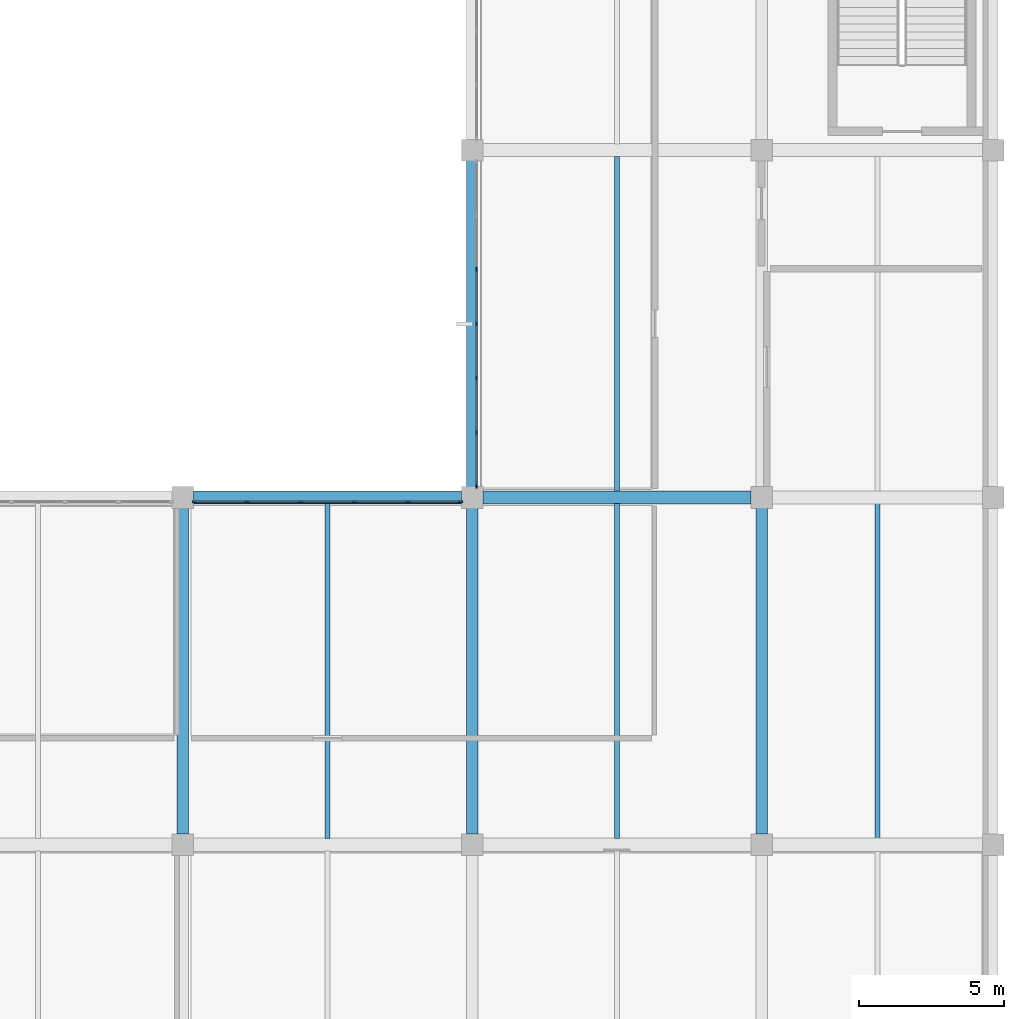
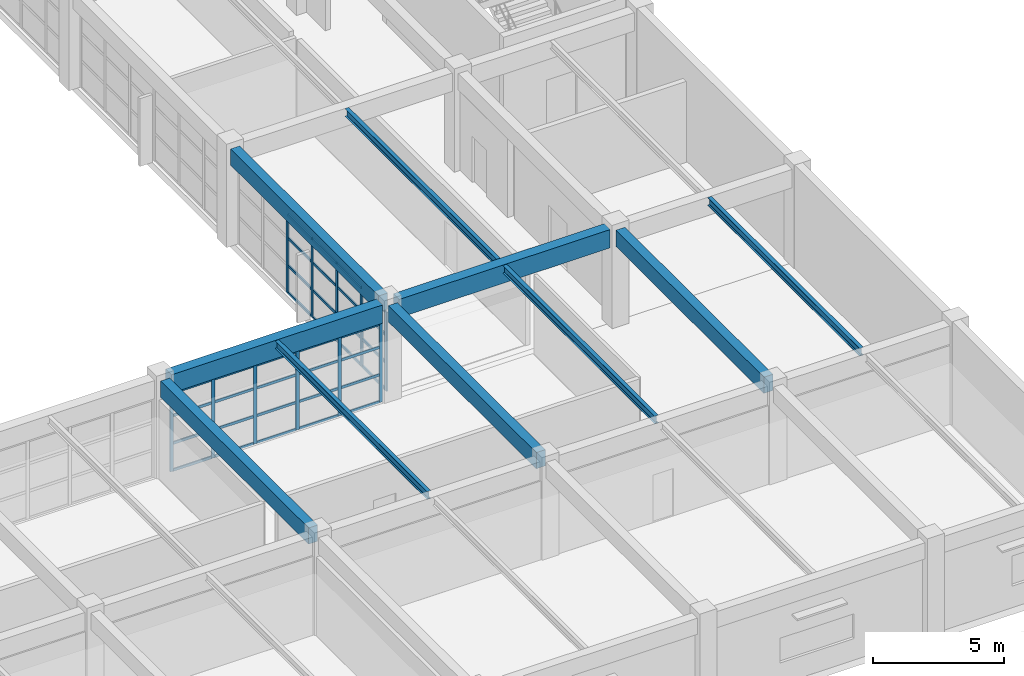
# One storey, part 53 of 109: 47 members, 10 beams, 2 elements without a shape of their own.
"""IFC4 building model written with IfcOpenShell, lengths in metres."""

from ifc_helpers import new_model, si_unit, direction, frame, origin, origin_2d, place, context, subcontext, project, spatial, rectangle, i_section, extrude, material, layer, layer_set, material_profile, profile_set, type_object, element, aggregate, save


model = new_model("IFC4")

# Units and contexts
model_context = context("Model", 3, precision=1e-05, world=origin(), true_north=direction((0.0, 1.0)))
body_context = subcontext(model_context, "Body", "Model", "MODEL_VIEW")
ifc_project = project(units=[si_unit("LENGTHUNIT", "METRE"), si_unit("AREAUNIT", "SQUARE_METRE"), si_unit("VOLUMEUNIT", "CUBIC_METRE"), si_unit("PLANEANGLEUNIT", "RADIAN"), si_unit("MASSUNIT", "GRAM", prefix="KILO")], contexts=[model_context])

# Site, building, storey
site_placement = place(None, origin())
site = spatial("IfcSite", under=ifc_project, at=site_placement, CompositionType="ELEMENT")
building_placement = place(site_placement, origin())
building = spatial("IfcBuilding", under=site, at=building_placement, Name="Kivolera Central Railway Station", CompositionType="ELEMENT")
storey_placement = place(building_placement, frame((0.0, 0.0, 9.60009765625)))
storey = spatial("IfcBuildingStorey", under=building, at=storey_placement, Name="L02", CompositionType="ELEMENT", Elevation=9.60009765625)

# Beams
ifc_material_1 = material(Name="Steel S355", Category="steel")
ifc_material_profile_1 = material_profile(ifc_material_1, i_section(OverallWidth=0.169921875, OverallDepth=0.360107421875, WebThickness=0.008056640625, FlangeThickness=0.0126953125, FilletRadius=0.01806640625, at=origin_2d()), Name="IPE 360")
ifc_profile_set_1 = profile_set([ifc_material_profile_1], Name="Steel S355")
beam_type_1 = type_object("IfcBeamType", Name="BM-JST-IPE360", PredefinedType="JOIST", material=ifc_profile_set_1)
for number, where, z_axis, x_axis, name in (
    (1, (173.0, 66.217041015625, 4.327880859375), (0.0, 1.0, 0.0), (-1.0, 0.0, 0.0), "L02 Floor Joist 17-18/F-G"),
    (2, (183.0, 66.217041015625, 4.327880859375), (0.0, 1.0, 0.0), (-1.0, 0.0, 0.0), "L02 Floor Joist 18-19/F-G"),
    (3, (183.0, 78.217041015625, 4.327880859375), (0.0, 1.0, 0.0), (-1.0, 0.0, 0.0), "L02 Floor Joist 18-19/G-H"),
    (4, (192.0, 66.217041015625, 4.327880859375), (0.0, 1.0, 0.0), (-1.0, 0.0, 0.0), "L02 Floor Joist 19-20/F-G"),
):
    element("IfcBeam", number, at=place(storey_placement, frame(where, z_axis=z_axis, x_axis=x_axis)), inside=storey, type_object=beam_type_1, Name=name, PredefinedType="JOIST", context=body_context, shape_type="SweptSolid", body=[
        extrude(i_section(OverallWidth=0.169921875, OverallDepth=0.360107421875, WebThickness=0.008056640625, FlangeThickness=0.0126953125, FilletRadius=0.01806640625, at=origin_2d()), origin(), (0.0, 0.0, 1.0), 11.56591796875),
    ])
ifc_material_2 = material(Name="Concrete C40/50", Category="concrete")
ifc_material_profile_2 = material_profile(ifc_material_2, rectangle(XDim=0.39990234375, YDim=0.75, at=origin_2d()), Name="RC 400x750")
ifc_profile_set_2 = profile_set([ifc_material_profile_2], Name="Concrete C40/50")
beam_type_2 = type_object("IfcBeamType", Name="BM-RC-400x750", PredefinedType="BEAM", material=ifc_profile_set_2)
for number, where, z_axis, x_axis, name in (
    (5, (168.0, 66.366943359375, 4.14501953125), (0.0, 1.0, 0.0), (-1.0, 0.0, 0.0), "L02 Wing Y-Beam 17:F-G"),
    (6, (178.0, 66.366943359375, 4.14501953125), (0.0, 1.0, 0.0), (-1.0, 0.0, 0.0), "L02 Wing Y-Beam 18:F-G"),
    (7, (178.0, 78.366943359375, 4.14501953125), (0.0, 1.0, 0.0), (-1.0, 0.0, 0.0), "L02 Wing Y-Beam 18:G-H"),
    (8, (188.0, 66.366943359375, 4.14501953125), (0.0, 1.0, 0.0), (-1.0, 0.0, 0.0), "L02 Wing Y-Beam 19:F-G"),
):
    element("IfcBeam", number, at=place(storey_placement, frame(where, z_axis=z_axis, x_axis=x_axis)), inside=storey, type_object=beam_type_2, Name=name, PredefinedType="BEAM", context=body_context, shape_type="SweptSolid", body=[
        extrude(rectangle(XDim=0.39990234375, YDim=0.75, at=origin_2d()), origin(), (0.0, 0.0, 1.0), 11.26611328125),
    ])
ifc_material_profile_3 = material_profile(ifc_material_2, rectangle(XDim=0.449951171875, YDim=0.85009765625, at=origin_2d()), Name="RC 450x850")
ifc_profile_set_3 = profile_set([ifc_material_profile_3], Name="Concrete C40/50")
beam_type_3 = type_object("IfcBeamType", Name="BM-RC-450x850", PredefinedType="BEAM", material=ifc_profile_set_3)
for number, where, z_axis, x_axis, name in (
    (9, (168.366943359375, 78.0, 4.094970703125), (1.0, 0.0, 0.0), (0.0, 1.0, 0.0), "L02 Wing X-Beam G:17-18"),
    (10, (178.366943359375, 78.0, 4.094970703125), (1.0, 0.0, 0.0), (0.0, 1.0, 0.0), "L02 Wing X-Beam G:18-19"),
):
    element("IfcBeam", number, at=place(storey_placement, frame(where, z_axis=z_axis, x_axis=x_axis)), inside=storey, type_object=beam_type_3, Name=name, PredefinedType="BEAM", context=body_context, shape_type="SweptSolid", body=[
        extrude(rectangle(XDim=0.449951171875, YDim=0.85009765625, at=origin_2d()), origin(), (0.0, 0.0, 1.0), 9.26611328125),
    ])

# Curtain wall, members
ifc_material_3 = material(Name="Anodised aluminium", Category="aluminium")
ifc_layer_1 = layer(ifc_material_3, 0.179931640625, Name="Anodised aluminium")
ifc_layer_set_1 = layer_set([ifc_layer_1], Name="Anodised aluminium")
curtain_wall_type_1 = type_object("IfcCurtainWallType", Name="CW-SYS-28", PredefinedType="NOTDEFINED", material=ifc_layer_set_1)
curtain_wall_1_placement = place(storey_placement, origin())
curtain_wall_1 = element("IfcCurtainWall", 11, at=curtain_wall_1_placement, inside=storey, type_object=curtain_wall_type_1, Name="L02 Curtain Wall CW-L02-CRTE-G", PredefinedType="NOTDEFINED")
ifc_material_profile_4 = material_profile(ifc_material_3, rectangle(XDim=0.06005859375, YDim=0.14990234375, at=origin_2d()), Name="ALU MULL 60x150")
ifc_profile_set_4 = profile_set([ifc_material_profile_4], Name="Anodised aluminium")
member_type_1 = type_object("IfcMemberType", Name="CWM-MUL-2", PredefinedType="MULLION", material=ifc_profile_set_4)
member_1_placement = place(storey_placement, frame((178.153076171875, 78.39990234375, -0.005126953125), z_axis=(0.0, 0.0, 1.0), x_axis=(-1.0, 0.0, 0.0)))
member_1 = element("IfcMember", 12, at=member_1_placement, type_object=member_type_1, Name="CW-28 mullion 1", PredefinedType="MULLION", context=body_context, shape_type="SweptSolid", body=[
    extrude(rectangle(XDim=0.06005859375, YDim=0.14990234375, at=origin_2d()), origin(), (0.0, 0.0, 1.0), 3.6630859375),
])
member_2_placement = place(storey_placement, frame((178.153076171875, 80.24658203125, -0.005126953125), z_axis=(0.0, 0.0, 1.0), x_axis=(-1.0, 0.0, 0.0)))
member_2 = element("IfcMember", 13, at=member_2_placement, type_object=member_type_1, Name="CW-28 mullion 2", PredefinedType="MULLION", context=body_context, shape_type="SweptSolid", body=[
    extrude(rectangle(XDim=0.06005859375, YDim=0.14990234375, at=origin_2d()), origin(), (0.0, 0.0, 1.0), 3.6630859375),
])
member_3_placement = place(storey_placement, frame((178.153076171875, 82.123291015625, -0.005126953125), z_axis=(0.0, 0.0, 1.0), x_axis=(-1.0, 0.0, 0.0)))
member_3 = element("IfcMember", 14, at=member_3_placement, type_object=member_type_1, Name="CW-28 mullion 3", PredefinedType="MULLION", context=body_context, shape_type="SweptSolid", body=[
    extrude(rectangle(XDim=0.06005859375, YDim=0.14990234375, at=origin_2d()), origin(), (0.0, 0.0, 1.0), 3.6630859375),
])
member_4_placement = place(storey_placement, frame((178.153076171875, 84.0, -0.005126953125), z_axis=(0.0, 0.0, 1.0), x_axis=(-1.0, 0.0, 0.0)))
member_4 = element("IfcMember", 15, at=member_4_placement, type_object=member_type_1, Name="CW-28 mullion 4", PredefinedType="MULLION", context=body_context, shape_type="SweptSolid", body=[
    extrude(rectangle(XDim=0.06005859375, YDim=0.14990234375, at=origin_2d()), origin(), (0.0, 0.0, 1.0), 3.6630859375),
])
member_5_placement = place(storey_placement, frame((178.153076171875, 85.876708984375, -0.005126953125), z_axis=(0.0, 0.0, 1.0), x_axis=(-1.0, 0.0, 0.0)))
member_5 = element("IfcMember", 16, at=member_5_placement, type_object=member_type_1, Name="CW-28 mullion 5", PredefinedType="MULLION", context=body_context, shape_type="SweptSolid", body=[
    extrude(rectangle(XDim=0.06005859375, YDim=0.14990234375, at=origin_2d()), origin(), (0.0, 0.0, 1.0), 3.6630859375),
])

ifc_layer_2 = layer(ifc_material_3, 0.179931640625, Name="Anodised aluminium")
ifc_layer_set_2 = layer_set([ifc_layer_2], Name="Anodised aluminium")
curtain_wall_type_2 = type_object("IfcCurtainWallType", Name="CW-SYS-27", PredefinedType="NOTDEFINED", material=ifc_layer_set_2)
curtain_wall_2_placement = place(storey_placement, origin())
curtain_wall_2 = element("IfcCurtainWall", 17, at=curtain_wall_2_placement, inside=storey, type_object=curtain_wall_type_2, Name="L02 Curtain Wall CW-L02-CRTS-168", PredefinedType="NOTDEFINED")
member_6_placement = place(storey_placement, frame((168.39990234375, 77.846923828125, -0.005126953125), z_axis=(0.0, 0.0, 1.0), x_axis=(0.0, 1.0, 0.0)))
member_6 = element("IfcMember", 18, at=member_6_placement, type_object=member_type_1, Name="CW-27 mullion 1", PredefinedType="MULLION", context=body_context, shape_type="SweptSolid", body=[
    extrude(rectangle(XDim=0.06005859375, YDim=0.14990234375, at=origin_2d()), origin(), (0.0, 0.0, 1.0), 3.6630859375),
])
member_7_placement = place(storey_placement, frame((170.221923828125, 77.846923828125, -0.005126953125), z_axis=(0.0, 0.0, 1.0), x_axis=(0.0, 1.0, 0.0)))
member_7 = element("IfcMember", 19, at=member_7_placement, type_object=member_type_1, Name="CW-27 mullion 2", PredefinedType="MULLION", context=body_context, shape_type="SweptSolid", body=[
    extrude(rectangle(XDim=0.06005859375, YDim=0.14990234375, at=origin_2d()), origin(), (0.0, 0.0, 1.0), 3.6630859375),
])
member_8_placement = place(storey_placement, frame((172.073974609375, 77.846923828125, -0.005126953125), z_axis=(0.0, 0.0, 1.0), x_axis=(0.0, 1.0, 0.0)))
member_8 = element("IfcMember", 20, at=member_8_placement, type_object=member_type_1, Name="CW-27 mullion 3", PredefinedType="MULLION", context=body_context, shape_type="SweptSolid", body=[
    extrude(rectangle(XDim=0.06005859375, YDim=0.14990234375, at=origin_2d()), origin(), (0.0, 0.0, 1.0), 3.6630859375),
])
member_9_placement = place(storey_placement, frame((173.926025390625, 77.846923828125, -0.005126953125), z_axis=(0.0, 0.0, 1.0), x_axis=(0.0, 1.0, 0.0)))
member_9 = element("IfcMember", 21, at=member_9_placement, type_object=member_type_1, Name="CW-27 mullion 4", PredefinedType="MULLION", context=body_context, shape_type="SweptSolid", body=[
    extrude(rectangle(XDim=0.06005859375, YDim=0.14990234375, at=origin_2d()), origin(), (0.0, 0.0, 1.0), 3.6630859375),
])
member_10_placement = place(storey_placement, frame((175.778076171875, 77.846923828125, -0.005126953125), z_axis=(0.0, 0.0, 1.0), x_axis=(0.0, 1.0, 0.0)))
member_10 = element("IfcMember", 22, at=member_10_placement, type_object=member_type_1, Name="CW-27 mullion 5", PredefinedType="MULLION", context=body_context, shape_type="SweptSolid", body=[
    extrude(rectangle(XDim=0.06005859375, YDim=0.14990234375, at=origin_2d()), origin(), (0.0, 0.0, 1.0), 3.6630859375),
])
member_11_placement = place(storey_placement, frame((177.60009765625, 77.846923828125, -0.005126953125), z_axis=(0.0, 0.0, 1.0), x_axis=(0.0, 1.0, 0.0)))
member_11 = element("IfcMember", 23, at=member_11_placement, type_object=member_type_1, Name="CW-27 mullion 6", PredefinedType="MULLION", context=body_context, shape_type="SweptSolid", body=[
    extrude(rectangle(XDim=0.06005859375, YDim=0.14990234375, at=origin_2d()), origin(), (0.0, 0.0, 1.0), 3.6630859375),
])

# Member
ifc_material_profile_5 = material_profile(ifc_material_3, rectangle(XDim=0.06005859375, YDim=0.1201171875, at=origin_2d()), Name="ALU TRAN 60x120")
ifc_profile_set_5 = profile_set([ifc_material_profile_5], Name="Anodised aluminium")
member_type_2 = type_object("IfcMemberType", Name="CWM-TRN-2", PredefinedType="USERDEFINED", material=ifc_profile_set_5)
member_12_placement = place(storey_placement, frame((178.153076171875, 78.429931640625, 0.02978515625), z_axis=(0.0, 1.0, 0.0), x_axis=(-1.0, 0.0, 0.0)))
member_12 = element("IfcMember", 24, at=member_12_placement, type_object=member_type_2, Name="CW-28 transom 1.1", ObjectType="TRANSOM", PredefinedType="USERDEFINED", context=body_context, shape_type="SweptSolid", body=[
    extrude(rectangle(XDim=0.06005859375, YDim=0.1201171875, at=origin_2d()), origin(), (0.0, 0.0, 1.0), 1.78662109375),
])

member_13_placement = place(storey_placement, frame((178.153076171875, 78.429931640625, 1.2802734375), z_axis=(0.0, 1.0, 0.0), x_axis=(-1.0, 0.0, 0.0)))
member_13 = element("IfcMember", 25, at=member_13_placement, type_object=member_type_2, Name="CW-28 transom 1.2", ObjectType="TRANSOM", PredefinedType="USERDEFINED", context=body_context, shape_type="SweptSolid", body=[
    extrude(rectangle(XDim=0.06005859375, YDim=0.1201171875, at=origin_2d()), origin(), (0.0, 0.0, 1.0), 1.78662109375),
])

member_14_placement = place(storey_placement, frame((178.153076171875, 78.429931640625, 2.560546875), z_axis=(0.0, 1.0, 0.0), x_axis=(-1.0, 0.0, 0.0)))
member_14 = element("IfcMember", 26, at=member_14_placement, type_object=member_type_2, Name="CW-28 transom 1.3", ObjectType="TRANSOM", PredefinedType="USERDEFINED", context=body_context, shape_type="SweptSolid", body=[
    extrude(rectangle(XDim=0.06005859375, YDim=0.1201171875, at=origin_2d()), origin(), (0.0, 0.0, 1.0), 1.78662109375),
])

member_15_placement = place(storey_placement, frame((178.153076171875, 78.429931640625, 3.6279296875), z_axis=(0.0, 1.0, 0.0), x_axis=(-1.0, 0.0, 0.0)))
member_15 = element("IfcMember", 27, at=member_15_placement, type_object=member_type_2, Name="CW-28 transom 1.4", ObjectType="TRANSOM", PredefinedType="USERDEFINED", context=body_context, shape_type="SweptSolid", body=[
    extrude(rectangle(XDim=0.06005859375, YDim=0.1201171875, at=origin_2d()), origin(), (0.0, 0.0, 1.0), 1.78662109375),
])

member_16_placement = place(storey_placement, frame((178.153076171875, 80.276611328125, 0.02978515625), z_axis=(0.0, 1.0, 0.0), x_axis=(-1.0, 0.0, 0.0)))
member_16 = element("IfcMember", 28, at=member_16_placement, type_object=member_type_2, Name="CW-28 transom 2.1", ObjectType="TRANSOM", PredefinedType="USERDEFINED", context=body_context, shape_type="SweptSolid", body=[
    extrude(rectangle(XDim=0.06005859375, YDim=0.1201171875, at=origin_2d()), origin(), (0.0, 0.0, 1.0), 1.816650390625),
])

member_17_placement = place(storey_placement, frame((178.153076171875, 80.276611328125, 1.2802734375), z_axis=(0.0, 1.0, 0.0), x_axis=(-1.0, 0.0, 0.0)))
member_17 = element("IfcMember", 29, at=member_17_placement, type_object=member_type_2, Name="CW-28 transom 2.2", ObjectType="TRANSOM", PredefinedType="USERDEFINED", context=body_context, shape_type="SweptSolid", body=[
    extrude(rectangle(XDim=0.06005859375, YDim=0.1201171875, at=origin_2d()), origin(), (0.0, 0.0, 1.0), 1.816650390625),
])

member_18_placement = place(storey_placement, frame((178.153076171875, 80.276611328125, 2.560546875), z_axis=(0.0, 1.0, 0.0), x_axis=(-1.0, 0.0, 0.0)))
member_18 = element("IfcMember", 30, at=member_18_placement, type_object=member_type_2, Name="CW-28 transom 2.3", ObjectType="TRANSOM", PredefinedType="USERDEFINED", context=body_context, shape_type="SweptSolid", body=[
    extrude(rectangle(XDim=0.06005859375, YDim=0.1201171875, at=origin_2d()), origin(), (0.0, 0.0, 1.0), 1.816650390625),
])

member_19_placement = place(storey_placement, frame((178.153076171875, 80.276611328125, 3.6279296875), z_axis=(0.0, 1.0, 0.0), x_axis=(-1.0, 0.0, 0.0)))
member_19 = element("IfcMember", 31, at=member_19_placement, type_object=member_type_2, Name="CW-28 transom 2.4", ObjectType="TRANSOM", PredefinedType="USERDEFINED", context=body_context, shape_type="SweptSolid", body=[
    extrude(rectangle(XDim=0.06005859375, YDim=0.1201171875, at=origin_2d()), origin(), (0.0, 0.0, 1.0), 1.816650390625),
])

member_20_placement = place(storey_placement, frame((178.153076171875, 82.1533203125, 0.02978515625), z_axis=(0.0, 1.0, 0.0), x_axis=(-1.0, 0.0, 0.0)))
member_20 = element("IfcMember", 32, at=member_20_placement, type_object=member_type_2, Name="CW-28 transom 3.1", ObjectType="TRANSOM", PredefinedType="USERDEFINED", context=body_context, shape_type="SweptSolid", body=[
    extrude(rectangle(XDim=0.06005859375, YDim=0.1201171875, at=origin_2d()), origin(), (0.0, 0.0, 1.0), 1.816650390625),
])

member_21_placement = place(storey_placement, frame((178.153076171875, 82.1533203125, 1.2802734375), z_axis=(0.0, 1.0, 0.0), x_axis=(-1.0, 0.0, 0.0)))
member_21 = element("IfcMember", 33, at=member_21_placement, type_object=member_type_2, Name="CW-28 transom 3.2", ObjectType="TRANSOM", PredefinedType="USERDEFINED", context=body_context, shape_type="SweptSolid", body=[
    extrude(rectangle(XDim=0.06005859375, YDim=0.1201171875, at=origin_2d()), origin(), (0.0, 0.0, 1.0), 1.816650390625),
])

member_22_placement = place(storey_placement, frame((178.153076171875, 82.1533203125, 2.560546875), z_axis=(0.0, 1.0, 0.0), x_axis=(-1.0, 0.0, 0.0)))
member_22 = element("IfcMember", 34, at=member_22_placement, type_object=member_type_2, Name="CW-28 transom 3.3", ObjectType="TRANSOM", PredefinedType="USERDEFINED", context=body_context, shape_type="SweptSolid", body=[
    extrude(rectangle(XDim=0.06005859375, YDim=0.1201171875, at=origin_2d()), origin(), (0.0, 0.0, 1.0), 1.816650390625),
])

member_23_placement = place(storey_placement, frame((178.153076171875, 82.1533203125, 3.6279296875), z_axis=(0.0, 1.0, 0.0), x_axis=(-1.0, 0.0, 0.0)))
member_23 = element("IfcMember", 35, at=member_23_placement, type_object=member_type_2, Name="CW-28 transom 3.4", ObjectType="TRANSOM", PredefinedType="USERDEFINED", context=body_context, shape_type="SweptSolid", body=[
    extrude(rectangle(XDim=0.06005859375, YDim=0.1201171875, at=origin_2d()), origin(), (0.0, 0.0, 1.0), 1.816650390625),
])

member_24_placement = place(storey_placement, frame((178.153076171875, 84.030029296875, 0.02978515625), z_axis=(0.0, 1.0, 0.0), x_axis=(-1.0, 0.0, 0.0)))
member_24 = element("IfcMember", 36, at=member_24_placement, type_object=member_type_2, Name="CW-28 transom 4.1", ObjectType="TRANSOM", PredefinedType="USERDEFINED", context=body_context, shape_type="SweptSolid", body=[
    extrude(rectangle(XDim=0.06005859375, YDim=0.1201171875, at=origin_2d()), origin(), (0.0, 0.0, 1.0), 1.816650390625),
])

member_25_placement = place(storey_placement, frame((178.153076171875, 84.030029296875, 1.2802734375), z_axis=(0.0, 1.0, 0.0), x_axis=(-1.0, 0.0, 0.0)))
member_25 = element("IfcMember", 37, at=member_25_placement, type_object=member_type_2, Name="CW-28 transom 4.2", ObjectType="TRANSOM", PredefinedType="USERDEFINED", context=body_context, shape_type="SweptSolid", body=[
    extrude(rectangle(XDim=0.06005859375, YDim=0.1201171875, at=origin_2d()), origin(), (0.0, 0.0, 1.0), 1.816650390625),
])

member_26_placement = place(storey_placement, frame((178.153076171875, 84.030029296875, 2.560546875), z_axis=(0.0, 1.0, 0.0), x_axis=(-1.0, 0.0, 0.0)))
member_26 = element("IfcMember", 38, at=member_26_placement, type_object=member_type_2, Name="CW-28 transom 4.3", ObjectType="TRANSOM", PredefinedType="USERDEFINED", context=body_context, shape_type="SweptSolid", body=[
    extrude(rectangle(XDim=0.06005859375, YDim=0.1201171875, at=origin_2d()), origin(), (0.0, 0.0, 1.0), 1.816650390625),
])

member_27_placement = place(storey_placement, frame((178.153076171875, 84.030029296875, 3.6279296875), z_axis=(0.0, 1.0, 0.0), x_axis=(-1.0, 0.0, 0.0)))
member_27 = element("IfcMember", 39, at=member_27_placement, type_object=member_type_2, Name="CW-28 transom 4.4", ObjectType="TRANSOM", PredefinedType="USERDEFINED", context=body_context, shape_type="SweptSolid", body=[
    extrude(rectangle(XDim=0.06005859375, YDim=0.1201171875, at=origin_2d()), origin(), (0.0, 0.0, 1.0), 1.816650390625),
])

aggregate(curtain_wall_1, [member_1, member_2, member_3, member_4, member_5, member_12, member_13, member_14, member_15, member_16, member_17, member_18, member_19, member_20, member_21, member_22, member_23, member_24, member_25, member_26, member_27])

member_28_placement = place(storey_placement, frame((168.429931640625, 77.846923828125, 0.02978515625), z_axis=(1.0, 0.0, 0.0), x_axis=(0.0, 1.0, 0.0)))
member_28 = element("IfcMember", 40, at=member_28_placement, type_object=member_type_2, Name="CW-27 transom 1.1", ObjectType="TRANSOM", PredefinedType="USERDEFINED", context=body_context, shape_type="SweptSolid", body=[
    extrude(rectangle(XDim=0.06005859375, YDim=0.1201171875, at=origin_2d()), origin(), (0.0, 0.0, 1.0), 1.761962890625),
])

member_29_placement = place(storey_placement, frame((168.429931640625, 77.846923828125, 1.2802734375), z_axis=(1.0, 0.0, 0.0), x_axis=(0.0, 1.0, 0.0)))
member_29 = element("IfcMember", 41, at=member_29_placement, type_object=member_type_2, Name="CW-27 transom 1.2", ObjectType="TRANSOM", PredefinedType="USERDEFINED", context=body_context, shape_type="SweptSolid", body=[
    extrude(rectangle(XDim=0.06005859375, YDim=0.1201171875, at=origin_2d()), origin(), (0.0, 0.0, 1.0), 1.761962890625),
])

member_30_placement = place(storey_placement, frame((168.429931640625, 77.846923828125, 2.560546875), z_axis=(1.0, 0.0, 0.0), x_axis=(0.0, 1.0, 0.0)))
member_30 = element("IfcMember", 42, at=member_30_placement, type_object=member_type_2, Name="CW-27 transom 1.3", ObjectType="TRANSOM", PredefinedType="USERDEFINED", context=body_context, shape_type="SweptSolid", body=[
    extrude(rectangle(XDim=0.06005859375, YDim=0.1201171875, at=origin_2d()), origin(), (0.0, 0.0, 1.0), 1.761962890625),
])

member_31_placement = place(storey_placement, frame((168.429931640625, 77.846923828125, 3.6279296875), z_axis=(1.0, 0.0, 0.0), x_axis=(0.0, 1.0, 0.0)))
member_31 = element("IfcMember", 43, at=member_31_placement, type_object=member_type_2, Name="CW-27 transom 1.4", ObjectType="TRANSOM", PredefinedType="USERDEFINED", context=body_context, shape_type="SweptSolid", body=[
    extrude(rectangle(XDim=0.06005859375, YDim=0.1201171875, at=origin_2d()), origin(), (0.0, 0.0, 1.0), 1.761962890625),
])

member_32_placement = place(storey_placement, frame((170.251953125, 77.846923828125, 0.02978515625), z_axis=(1.0, 0.0, 0.0), x_axis=(0.0, 1.0, 0.0)))
member_32 = element("IfcMember", 44, at=member_32_placement, type_object=member_type_2, Name="CW-27 transom 2.1", ObjectType="TRANSOM", PredefinedType="USERDEFINED", context=body_context, shape_type="SweptSolid", body=[
    extrude(rectangle(XDim=0.06005859375, YDim=0.1201171875, at=origin_2d()), origin(), (0.0, 0.0, 1.0), 1.7919921875),
])

member_33_placement = place(storey_placement, frame((170.251953125, 77.846923828125, 1.2802734375), z_axis=(1.0, 0.0, 0.0), x_axis=(0.0, 1.0, 0.0)))
member_33 = element("IfcMember", 45, at=member_33_placement, type_object=member_type_2, Name="CW-27 transom 2.2", ObjectType="TRANSOM", PredefinedType="USERDEFINED", context=body_context, shape_type="SweptSolid", body=[
    extrude(rectangle(XDim=0.06005859375, YDim=0.1201171875, at=origin_2d()), origin(), (0.0, 0.0, 1.0), 1.7919921875),
])

member_34_placement = place(storey_placement, frame((170.251953125, 77.846923828125, 2.560546875), z_axis=(1.0, 0.0, 0.0), x_axis=(0.0, 1.0, 0.0)))
member_34 = element("IfcMember", 46, at=member_34_placement, type_object=member_type_2, Name="CW-27 transom 2.3", ObjectType="TRANSOM", PredefinedType="USERDEFINED", context=body_context, shape_type="SweptSolid", body=[
    extrude(rectangle(XDim=0.06005859375, YDim=0.1201171875, at=origin_2d()), origin(), (0.0, 0.0, 1.0), 1.7919921875),
])

member_35_placement = place(storey_placement, frame((170.251953125, 77.846923828125, 3.6279296875), z_axis=(1.0, 0.0, 0.0), x_axis=(0.0, 1.0, 0.0)))
member_35 = element("IfcMember", 47, at=member_35_placement, type_object=member_type_2, Name="CW-27 transom 2.4", ObjectType="TRANSOM", PredefinedType="USERDEFINED", context=body_context, shape_type="SweptSolid", body=[
    extrude(rectangle(XDim=0.06005859375, YDim=0.1201171875, at=origin_2d()), origin(), (0.0, 0.0, 1.0), 1.7919921875),
])

member_36_placement = place(storey_placement, frame((172.10400390625, 77.846923828125, 0.02978515625), z_axis=(1.0, 0.0, 0.0), x_axis=(0.0, 1.0, 0.0)))
member_36 = element("IfcMember", 48, at=member_36_placement, type_object=member_type_2, Name="CW-27 transom 3.1", ObjectType="TRANSOM", PredefinedType="USERDEFINED", context=body_context, shape_type="SweptSolid", body=[
    extrude(rectangle(XDim=0.06005859375, YDim=0.1201171875, at=origin_2d()), origin(), (0.0, 0.0, 1.0), 1.7919921875),
])

member_37_placement = place(storey_placement, frame((172.10400390625, 77.846923828125, 1.2802734375), z_axis=(1.0, 0.0, 0.0), x_axis=(0.0, 1.0, 0.0)))
member_37 = element("IfcMember", 49, at=member_37_placement, type_object=member_type_2, Name="CW-27 transom 3.2", ObjectType="TRANSOM", PredefinedType="USERDEFINED", context=body_context, shape_type="SweptSolid", body=[
    extrude(rectangle(XDim=0.06005859375, YDim=0.1201171875, at=origin_2d()), origin(), (0.0, 0.0, 1.0), 1.7919921875),
])

member_38_placement = place(storey_placement, frame((172.10400390625, 77.846923828125, 2.560546875), z_axis=(1.0, 0.0, 0.0), x_axis=(0.0, 1.0, 0.0)))
member_38 = element("IfcMember", 50, at=member_38_placement, type_object=member_type_2, Name="CW-27 transom 3.3", ObjectType="TRANSOM", PredefinedType="USERDEFINED", context=body_context, shape_type="SweptSolid", body=[
    extrude(rectangle(XDim=0.06005859375, YDim=0.1201171875, at=origin_2d()), origin(), (0.0, 0.0, 1.0), 1.7919921875),
])

member_39_placement = place(storey_placement, frame((172.10400390625, 77.846923828125, 3.6279296875), z_axis=(1.0, 0.0, 0.0), x_axis=(0.0, 1.0, 0.0)))
member_39 = element("IfcMember", 51, at=member_39_placement, type_object=member_type_2, Name="CW-27 transom 3.4", ObjectType="TRANSOM", PredefinedType="USERDEFINED", context=body_context, shape_type="SweptSolid", body=[
    extrude(rectangle(XDim=0.06005859375, YDim=0.1201171875, at=origin_2d()), origin(), (0.0, 0.0, 1.0), 1.7919921875),
])

member_40_placement = place(storey_placement, frame((173.9560546875, 77.846923828125, 0.02978515625), z_axis=(1.0, 0.0, 0.0), x_axis=(0.0, 1.0, 0.0)))
member_40 = element("IfcMember", 52, at=member_40_placement, type_object=member_type_2, Name="CW-27 transom 4.1", ObjectType="TRANSOM", PredefinedType="USERDEFINED", context=body_context, shape_type="SweptSolid", body=[
    extrude(rectangle(XDim=0.06005859375, YDim=0.1201171875, at=origin_2d()), origin(), (0.0, 0.0, 1.0), 1.7919921875),
])

member_41_placement = place(storey_placement, frame((173.9560546875, 77.846923828125, 1.2802734375), z_axis=(1.0, 0.0, 0.0), x_axis=(0.0, 1.0, 0.0)))
member_41 = element("IfcMember", 53, at=member_41_placement, type_object=member_type_2, Name="CW-27 transom 4.2", ObjectType="TRANSOM", PredefinedType="USERDEFINED", context=body_context, shape_type="SweptSolid", body=[
    extrude(rectangle(XDim=0.06005859375, YDim=0.1201171875, at=origin_2d()), origin(), (0.0, 0.0, 1.0), 1.7919921875),
])

member_42_placement = place(storey_placement, frame((173.9560546875, 77.846923828125, 2.560546875), z_axis=(1.0, 0.0, 0.0), x_axis=(0.0, 1.0, 0.0)))
member_42 = element("IfcMember", 54, at=member_42_placement, type_object=member_type_2, Name="CW-27 transom 4.3", ObjectType="TRANSOM", PredefinedType="USERDEFINED", context=body_context, shape_type="SweptSolid", body=[
    extrude(rectangle(XDim=0.06005859375, YDim=0.1201171875, at=origin_2d()), origin(), (0.0, 0.0, 1.0), 1.7919921875),
])

member_43_placement = place(storey_placement, frame((173.9560546875, 77.846923828125, 3.6279296875), z_axis=(1.0, 0.0, 0.0), x_axis=(0.0, 1.0, 0.0)))
member_43 = element("IfcMember", 55, at=member_43_placement, type_object=member_type_2, Name="CW-27 transom 4.4", ObjectType="TRANSOM", PredefinedType="USERDEFINED", context=body_context, shape_type="SweptSolid", body=[
    extrude(rectangle(XDim=0.06005859375, YDim=0.1201171875, at=origin_2d()), origin(), (0.0, 0.0, 1.0), 1.7919921875),
])

member_44_placement = place(storey_placement, frame((175.80810546875, 77.846923828125, 0.02978515625), z_axis=(1.0, 0.0, 0.0), x_axis=(0.0, 1.0, 0.0)))
member_44 = element("IfcMember", 56, at=member_44_placement, type_object=member_type_2, Name="CW-27 transom 5.1", ObjectType="TRANSOM", PredefinedType="USERDEFINED", context=body_context, shape_type="SweptSolid", body=[
    extrude(rectangle(XDim=0.06005859375, YDim=0.1201171875, at=origin_2d()), origin(), (0.0, 0.0, 1.0), 1.761962890625),
])

member_45_placement = place(storey_placement, frame((175.80810546875, 77.846923828125, 1.2802734375), z_axis=(1.0, 0.0, 0.0), x_axis=(0.0, 1.0, 0.0)))
member_45 = element("IfcMember", 57, at=member_45_placement, type_object=member_type_2, Name="CW-27 transom 5.2", ObjectType="TRANSOM", PredefinedType="USERDEFINED", context=body_context, shape_type="SweptSolid", body=[
    extrude(rectangle(XDim=0.06005859375, YDim=0.1201171875, at=origin_2d()), origin(), (0.0, 0.0, 1.0), 1.761962890625),
])

member_46_placement = place(storey_placement, frame((175.80810546875, 77.846923828125, 2.560546875), z_axis=(1.0, 0.0, 0.0), x_axis=(0.0, 1.0, 0.0)))
member_46 = element("IfcMember", 58, at=member_46_placement, type_object=member_type_2, Name="CW-27 transom 5.3", ObjectType="TRANSOM", PredefinedType="USERDEFINED", context=body_context, shape_type="SweptSolid", body=[
    extrude(rectangle(XDim=0.06005859375, YDim=0.1201171875, at=origin_2d()), origin(), (0.0, 0.0, 1.0), 1.761962890625),
])

member_47_placement = place(storey_placement, frame((175.80810546875, 77.846923828125, 3.6279296875), z_axis=(1.0, 0.0, 0.0), x_axis=(0.0, 1.0, 0.0)))
member_47 = element("IfcMember", 59, at=member_47_placement, type_object=member_type_2, Name="CW-27 transom 5.4", ObjectType="TRANSOM", PredefinedType="USERDEFINED", context=body_context, shape_type="SweptSolid", body=[
    extrude(rectangle(XDim=0.06005859375, YDim=0.1201171875, at=origin_2d()), origin(), (0.0, 0.0, 1.0), 1.761962890625),
])

aggregate(curtain_wall_2, [member_6, member_7, member_8, member_9, member_10, member_11, member_28, member_29, member_30, member_31, member_32, member_33, member_34, member_35, member_36, member_37, member_38, member_39, member_40, member_41, member_42, member_43, member_44, member_45, member_46, member_47])

save(model, "model.ifc")
